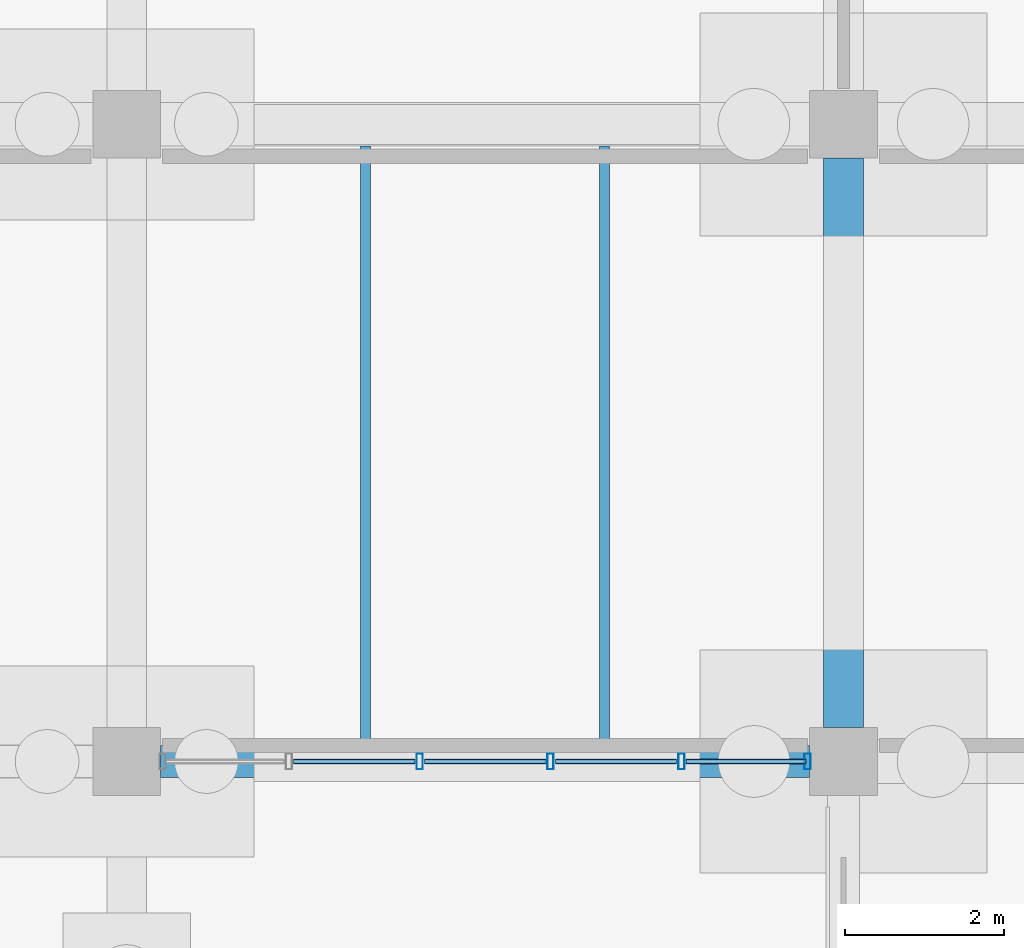
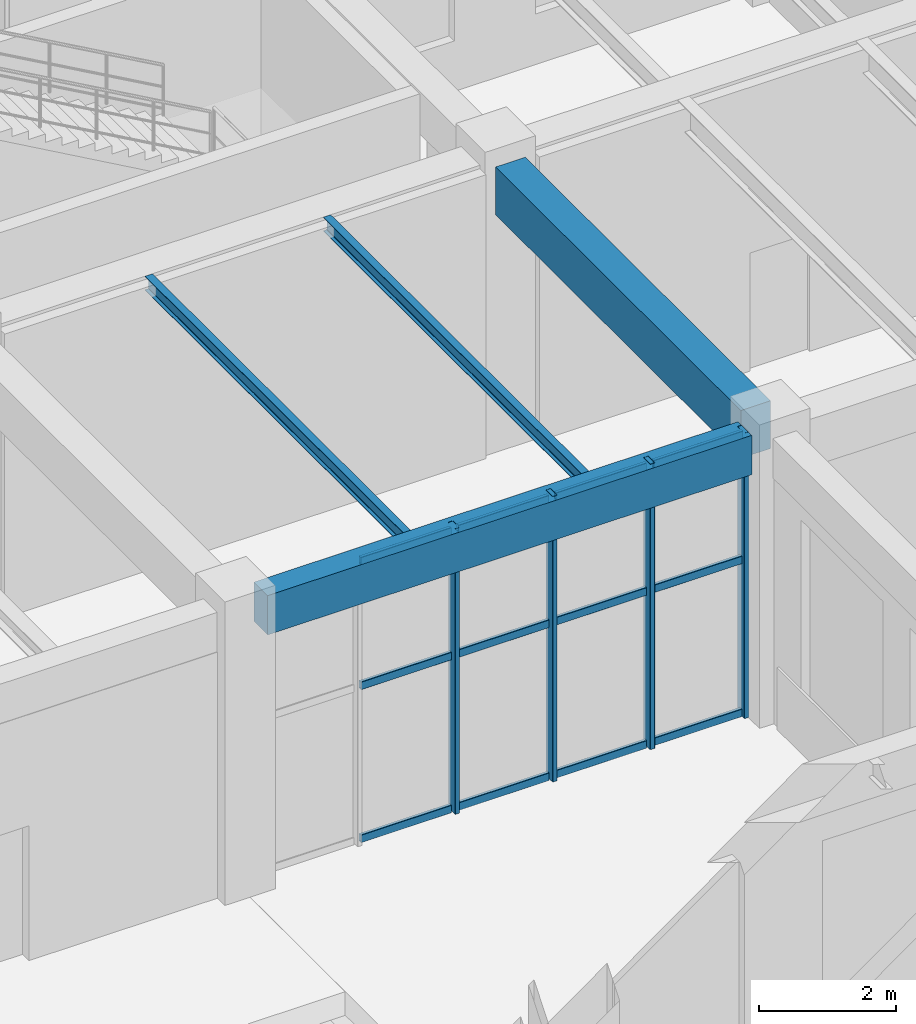
# One storey, part 39 of 121: 16 members, 4 beams, 1 element without a shape of its own.
"""IFC4 building model written with IfcOpenShell, lengths in metres."""

from ifc_helpers import new_model, si_unit, derived_unit, direction, frame, origin, origin_2d, place, context, subcontext, project, spatial, rectangle, hollow_rectangle, i_section, extrude, material, material_profile, profile_set, type_object, element, aggregate, save


model = new_model("IFC4")

# Units and contexts
model_context = context("Model", 3, precision=1e-05, world=origin(), true_north=direction((0.0, 1.0)))
body_context = subcontext(model_context, "Body", "Model", "MODEL_VIEW")
ifc_project = project(units=[si_unit("LENGTHUNIT", "METRE"), si_unit("AREAUNIT", "SQUARE_METRE"), si_unit("VOLUMEUNIT", "CUBIC_METRE"), si_unit("PLANEANGLEUNIT", "RADIAN"), si_unit("MASSUNIT", "GRAM", prefix="KILO"), derived_unit("THERMALTRANSMITTANCEUNIT", [(si_unit("MASSUNIT", "GRAM", prefix="KILO"), 1), (si_unit("TIMEUNIT", "SECOND"), -3), (si_unit("THERMODYNAMICTEMPERATUREUNIT", "KELVIN"), -1)])], contexts=[model_context])

# Site, building, storey
site_placement = place(None, origin())
site = spatial("IfcSite", under=ifc_project, at=site_placement, CompositionType="ELEMENT")
building_placement = place(site_placement, origin())
building = spatial("IfcBuilding", under=site, at=building_placement, Name="Zhenchuan Archway Interchange", CompositionType="ELEMENT")
storey_placement = place(building_placement, origin())
storey = spatial("IfcBuildingStorey", under=building, at=storey_placement, Name="L00", CompositionType="ELEMENT", Elevation=0.0)

# Beam
ifc_material_1 = material(Name="Concrete C40", Category="concrete")
ifc_material_profile_1 = material_profile(ifc_material_1, rectangle(XDim=0.5, YDim=0.85009765625, at=origin_2d()), Name="RC 500x850")
ifc_profile_set_1 = profile_set([ifc_material_profile_1], Name="Concrete C40")
beam_type_1 = type_object("IfcBeamType", Name="BM_RC_500x850", PredefinedType="BEAM", material=ifc_profile_set_1)
beam_1_placement = place(storey_placement, frame((36.0, 96.425048828125, 4.655029296875), z_axis=(0.0, 1.0, 0.0), x_axis=(-1.0, 0.0, 0.0)))
element("IfcBeam", 1, at=beam_1_placement, inside=storey, type_object=beam_type_1, Name="Beam 5:N-O (L00)", PredefinedType="BEAM", context=body_context, shape_type="SweptSolid", body=[
    extrude(rectangle(XDim=0.5, YDim=0.85009765625, at=origin_2d()), origin(), (0.0, 0.0, 1.0), 7.14990234375),
])

# Curtain wall, members
ifc_material_2 = material(Name="Anodised Aluminium", Category="aluminium")
curtain_wall_type = type_object("IfcCurtainWallType", Name="CW_UNIT_4", PredefinedType="NOTDEFINED", material=ifc_material_2)
curtain_wall_placement = place(storey_placement, origin())
curtain_wall = element("IfcCurtainWall", 2, at=curtain_wall_placement, inside=storey, type_object=curtain_wall_type, Name="Unitised curtain wall CW:L00:003", PredefinedType="NOTDEFINED")
ifc_material_profile_2 = material_profile(ifc_material_2, hollow_rectangle(XDim=0.080078125, YDim=0.199951171875, WallThickness=0.00439453125, InnerFilletRadius=0.00439453125, OuterFilletRadius=0.009033203125, at=origin_2d()), Name="ALU 200x80x4.5")
ifc_profile_set_2 = profile_set([ifc_material_profile_2], Name="Anodised Aluminium")
member_type_1 = type_object("IfcMemberType", Name="CW_MUL_200", PredefinedType="MULLION", material=ifc_profile_set_2)
member_1_placement = place(storey_placement, frame((35.547119140625, 96.0, 0.0), z_axis=(0.0, 0.0, 1.0), x_axis=(1.0, 0.0, 0.0)))
member_1 = element("IfcMember", 3, at=member_1_placement, type_object=member_type_1, Name="CW:L00:003 mullion 0", PredefinedType="MULLION", context=body_context, shape_type="SweptSolid", body=[
    extrude(hollow_rectangle(XDim=0.080078125, YDim=0.199951171875, WallThickness=0.00439453125, InnerFilletRadius=0.00439453125, OuterFilletRadius=0.009033203125, at=origin_2d()), origin(), (0.0, 0.0, 1.0), 5.080078125),
])
member_2_placement = place(storey_placement, frame((33.964111328125, 96.0, 0.0), z_axis=(0.0, 0.0, 1.0), x_axis=(1.0, 0.0, 0.0)))
member_2 = element("IfcMember", 4, at=member_2_placement, type_object=member_type_1, Name="CW:L00:003 mullion 1", PredefinedType="MULLION", context=body_context, shape_type="SweptSolid", body=[
    extrude(hollow_rectangle(XDim=0.080078125, YDim=0.199951171875, WallThickness=0.00439453125, InnerFilletRadius=0.00439453125, OuterFilletRadius=0.009033203125, at=origin_2d()), origin(), (0.0, 0.0, 1.0), 5.080078125),
])
member_3_placement = place(storey_placement, frame((32.3212890625, 96.0, 0.0), z_axis=(0.0, 0.0, 1.0), x_axis=(1.0, 0.0, 0.0)))
member_3 = element("IfcMember", 5, at=member_3_placement, type_object=member_type_1, Name="CW:L00:003 mullion 2", PredefinedType="MULLION", context=body_context, shape_type="SweptSolid", body=[
    extrude(hollow_rectangle(XDim=0.080078125, YDim=0.199951171875, WallThickness=0.00439453125, InnerFilletRadius=0.00439453125, OuterFilletRadius=0.009033203125, at=origin_2d()), origin(), (0.0, 0.0, 1.0), 5.080078125),
])
member_4_placement = place(storey_placement, frame((30.6787109375, 96.0, 0.0), z_axis=(0.0, 0.0, 1.0), x_axis=(1.0, 0.0, 0.0)))
member_4 = element("IfcMember", 6, at=member_4_placement, type_object=member_type_1, Name="CW:L00:003 mullion 3", PredefinedType="MULLION", context=body_context, shape_type="SweptSolid", body=[
    extrude(hollow_rectangle(XDim=0.080078125, YDim=0.199951171875, WallThickness=0.00439453125, InnerFilletRadius=0.00439453125, OuterFilletRadius=0.009033203125, at=origin_2d()), origin(), (0.0, 0.0, 1.0), 5.080078125),
])
ifc_material_profile_3 = material_profile(ifc_material_2, hollow_rectangle(XDim=0.06005859375, YDim=0.139892578125, WallThickness=0.00341796875, InnerFilletRadius=0.00341796875, OuterFilletRadius=0.007080078125, at=origin_2d()), Name="ALU 140x60x3.5")
ifc_profile_set_3 = profile_set([ifc_material_profile_3], Name="Anodised Aluminium")
member_type_2 = type_object("IfcMemberType", Name="CW_TRN_140", PredefinedType="USERDEFINED", material=ifc_profile_set_3)
member_5_placement = place(storey_placement, frame((35.527099609375, 96.0, 0.06005859375), z_axis=(-1.0, 0.0, 0.0), x_axis=(0.0, -1.0, 0.0)))
member_5 = element("IfcMember", 7, at=member_5_placement, type_object=member_type_2, Name="CW:L00:003 transom 0-1", ObjectType="TRANSOM", PredefinedType="USERDEFINED", context=body_context, shape_type="SweptSolid", body=[
    extrude(hollow_rectangle(XDim=0.06005859375, YDim=0.139892578125, WallThickness=0.00341796875, InnerFilletRadius=0.00341796875, OuterFilletRadius=0.007080078125, at=origin_2d()), origin(), (0.0, 0.0, 1.0), 1.5029296875),
])
member_6_placement = place(storey_placement, frame((35.527099609375, 96.0, 2.782958984375), z_axis=(-1.0, 0.0, 0.0), x_axis=(0.0, -1.0, 0.0)))
member_6 = element("IfcMember", 8, at=member_6_placement, type_object=member_type_2, Name="CW:L00:003 transom 0-2", ObjectType="TRANSOM", PredefinedType="USERDEFINED", context=body_context, shape_type="SweptSolid", body=[
    extrude(hollow_rectangle(XDim=0.06005859375, YDim=0.139892578125, WallThickness=0.00341796875, InnerFilletRadius=0.00341796875, OuterFilletRadius=0.007080078125, at=origin_2d()), origin(), (0.0, 0.0, 1.0), 1.5029296875),
])
member_7_placement = place(storey_placement, frame((35.527099609375, 96.0, 5.0), z_axis=(-1.0, 0.0, 0.0), x_axis=(0.0, -1.0, 0.0)))
member_7 = element("IfcMember", 9, at=member_7_placement, type_object=member_type_2, Name="CW:L00:003 transom 0-3", ObjectType="TRANSOM", PredefinedType="USERDEFINED", context=body_context, shape_type="SweptSolid", body=[
    extrude(hollow_rectangle(XDim=0.06005859375, YDim=0.139892578125, WallThickness=0.00341796875, InnerFilletRadius=0.00341796875, OuterFilletRadius=0.007080078125, at=origin_2d()), origin(), (0.0, 0.0, 1.0), 1.5029296875),
])
member_8_placement = place(storey_placement, frame((33.904296875, 96.0, 0.06005859375), z_axis=(-1.0, 0.0, 0.0), x_axis=(0.0, -1.0, 0.0)))
member_8 = element("IfcMember", 10, at=member_8_placement, type_object=member_type_2, Name="CW:L00:003 transom 1-1", ObjectType="TRANSOM", PredefinedType="USERDEFINED", context=body_context, shape_type="SweptSolid", body=[
    extrude(hollow_rectangle(XDim=0.06005859375, YDim=0.139892578125, WallThickness=0.00341796875, InnerFilletRadius=0.00341796875, OuterFilletRadius=0.007080078125, at=origin_2d()), origin(), (0.0, 0.0, 1.0), 1.52294921875),
])
member_9_placement = place(storey_placement, frame((33.904296875, 96.0, 2.782958984375), z_axis=(-1.0, 0.0, 0.0), x_axis=(0.0, -1.0, 0.0)))
member_9 = element("IfcMember", 11, at=member_9_placement, type_object=member_type_2, Name="CW:L00:003 transom 1-2", ObjectType="TRANSOM", PredefinedType="USERDEFINED", context=body_context, shape_type="SweptSolid", body=[
    extrude(hollow_rectangle(XDim=0.06005859375, YDim=0.139892578125, WallThickness=0.00341796875, InnerFilletRadius=0.00341796875, OuterFilletRadius=0.007080078125, at=origin_2d()), origin(), (0.0, 0.0, 1.0), 1.52294921875),
])
member_10_placement = place(storey_placement, frame((33.904296875, 96.0, 5.0), z_axis=(-1.0, 0.0, 0.0), x_axis=(0.0, -1.0, 0.0)))
member_10 = element("IfcMember", 12, at=member_10_placement, type_object=member_type_2, Name="CW:L00:003 transom 1-3", ObjectType="TRANSOM", PredefinedType="USERDEFINED", context=body_context, shape_type="SweptSolid", body=[
    extrude(hollow_rectangle(XDim=0.06005859375, YDim=0.139892578125, WallThickness=0.00341796875, InnerFilletRadius=0.00341796875, OuterFilletRadius=0.007080078125, at=origin_2d()), origin(), (0.0, 0.0, 1.0), 1.52294921875),
])
member_11_placement = place(storey_placement, frame((32.261474609375, 96.0, 0.06005859375), z_axis=(-1.0, 0.0, 0.0), x_axis=(0.0, -1.0, 0.0)))
member_11 = element("IfcMember", 13, at=member_11_placement, type_object=member_type_2, Name="CW:L00:003 transom 2-1", ObjectType="TRANSOM", PredefinedType="USERDEFINED", context=body_context, shape_type="SweptSolid", body=[
    extrude(hollow_rectangle(XDim=0.06005859375, YDim=0.139892578125, WallThickness=0.00341796875, InnerFilletRadius=0.00341796875, OuterFilletRadius=0.007080078125, at=origin_2d()), origin(), (0.0, 0.0, 1.0), 1.52294921875),
])
member_12_placement = place(storey_placement, frame((32.261474609375, 96.0, 2.782958984375), z_axis=(-1.0, 0.0, 0.0), x_axis=(0.0, -1.0, 0.0)))
member_12 = element("IfcMember", 14, at=member_12_placement, type_object=member_type_2, Name="CW:L00:003 transom 2-2", ObjectType="TRANSOM", PredefinedType="USERDEFINED", context=body_context, shape_type="SweptSolid", body=[
    extrude(hollow_rectangle(XDim=0.06005859375, YDim=0.139892578125, WallThickness=0.00341796875, InnerFilletRadius=0.00341796875, OuterFilletRadius=0.007080078125, at=origin_2d()), origin(), (0.0, 0.0, 1.0), 1.52294921875),
])
member_13_placement = place(storey_placement, frame((32.261474609375, 96.0, 5.0), z_axis=(-1.0, 0.0, 0.0), x_axis=(0.0, -1.0, 0.0)))
member_13 = element("IfcMember", 15, at=member_13_placement, type_object=member_type_2, Name="CW:L00:003 transom 2-3", ObjectType="TRANSOM", PredefinedType="USERDEFINED", context=body_context, shape_type="SweptSolid", body=[
    extrude(hollow_rectangle(XDim=0.06005859375, YDim=0.139892578125, WallThickness=0.00341796875, InnerFilletRadius=0.00341796875, OuterFilletRadius=0.007080078125, at=origin_2d()), origin(), (0.0, 0.0, 1.0), 1.52294921875),
])
member_14_placement = place(storey_placement, frame((30.61865234375, 96.0, 0.06005859375), z_axis=(-1.0, 0.0, 0.0), x_axis=(0.0, -1.0, 0.0)))
member_14 = element("IfcMember", 16, at=member_14_placement, type_object=member_type_2, Name="CW:L00:003 transom 3-1", ObjectType="TRANSOM", PredefinedType="USERDEFINED", context=body_context, shape_type="SweptSolid", body=[
    extrude(hollow_rectangle(XDim=0.06005859375, YDim=0.139892578125, WallThickness=0.00341796875, InnerFilletRadius=0.00341796875, OuterFilletRadius=0.007080078125, at=origin_2d()), origin(), (0.0, 0.0, 1.0), 1.52294921875),
])
member_15_placement = place(storey_placement, frame((30.61865234375, 96.0, 2.782958984375), z_axis=(-1.0, 0.0, 0.0), x_axis=(0.0, -1.0, 0.0)))
member_15 = element("IfcMember", 17, at=member_15_placement, type_object=member_type_2, Name="CW:L00:003 transom 3-2", ObjectType="TRANSOM", PredefinedType="USERDEFINED", context=body_context, shape_type="SweptSolid", body=[
    extrude(hollow_rectangle(XDim=0.06005859375, YDim=0.139892578125, WallThickness=0.00341796875, InnerFilletRadius=0.00341796875, OuterFilletRadius=0.007080078125, at=origin_2d()), origin(), (0.0, 0.0, 1.0), 1.52294921875),
])
member_16_placement = place(storey_placement, frame((30.61865234375, 96.0, 5.0), z_axis=(-1.0, 0.0, 0.0), x_axis=(0.0, -1.0, 0.0)))
member_16 = element("IfcMember", 18, at=member_16_placement, type_object=member_type_2, Name="CW:L00:003 transom 3-3", ObjectType="TRANSOM", PredefinedType="USERDEFINED", context=body_context, shape_type="SweptSolid", body=[
    extrude(hollow_rectangle(XDim=0.06005859375, YDim=0.139892578125, WallThickness=0.00341796875, InnerFilletRadius=0.00341796875, OuterFilletRadius=0.007080078125, at=origin_2d()), origin(), (0.0, 0.0, 1.0), 1.52294921875),
])
aggregate(curtain_wall, [member_1, member_2, member_3, member_4, member_5, member_6, member_7, member_8, member_9, member_10, member_11, member_12, member_13, member_14, member_15, member_16])

# Beams
ifc_material_3 = material(Name="Steel Q355", Category="steel")
ifc_material_profile_4 = material_profile(ifc_material_3, i_section(OverallWidth=0.125, OverallDepth=0.25, WebThickness=0.006103515625, FlangeThickness=0.009033203125, FilletRadius=0.011962890625, at=origin_2d()), Name="HN 250x125")
ifc_profile_set_4 = profile_set([ifc_material_profile_4], Name="Steel Q355")
beam_type_2 = type_object("IfcBeamType", Name="JST_STL_HN250", PredefinedType="JOIST", material=ifc_profile_set_4)
for number, where, z_axis, x_axis, name in (
    (19, (30.0, 96.199951171875, 4.955078125), (0.0, 1.0, 0.0), (-1.0, 0.0, 0.0), "Secondary joist 4-5/N-O #1 (L00)"),
    (20, (33.0, 96.199951171875, 4.955078125), (0.0, 1.0, 0.0), (-1.0, 0.0, 0.0), "Secondary joist 4-5/N-O #2 (L00)"),
):
    element("IfcBeam", number, at=place(storey_placement, frame(where, z_axis=z_axis, x_axis=x_axis)), inside=storey, type_object=beam_type_2, Name=name, PredefinedType="JOIST", context=body_context, shape_type="SweptSolid", body=[
        extrude(i_section(OverallWidth=0.125, OverallDepth=0.25, WebThickness=0.006103515625, FlangeThickness=0.009033203125, FilletRadius=0.011962890625, at=origin_2d()), origin(), (0.0, 0.0, 1.0), 7.525146484375),
    ])
ifc_material_profile_5 = material_profile(ifc_material_1, rectangle(XDim=0.39990234375, YDim=0.699951171875, at=origin_2d()), Name="RC 400x700")
ifc_profile_set_5 = profile_set([ifc_material_profile_5], Name="Concrete C40")
beam_type_3 = type_object("IfcBeamType", Name="SP_RC_400x700", PredefinedType="SPANDREL", material=ifc_profile_set_5)
beam_2_placement = place(storey_placement, frame((27.425048828125, 96.0, 4.72998046875), z_axis=(1.0, 0.0, 0.0), x_axis=(0.0, 1.0, 0.0)))
element("IfcBeam", 21, at=beam_2_placement, inside=storey, type_object=beam_type_3, Name="Beam N:4-5 (L00)", PredefinedType="SPANDREL", context=body_context, shape_type="SweptSolid", body=[
    extrude(rectangle(XDim=0.39990234375, YDim=0.699951171875, at=origin_2d()), origin(), (0.0, 0.0, 1.0), 8.14990234375),
])

save(model, "model.ifc")
